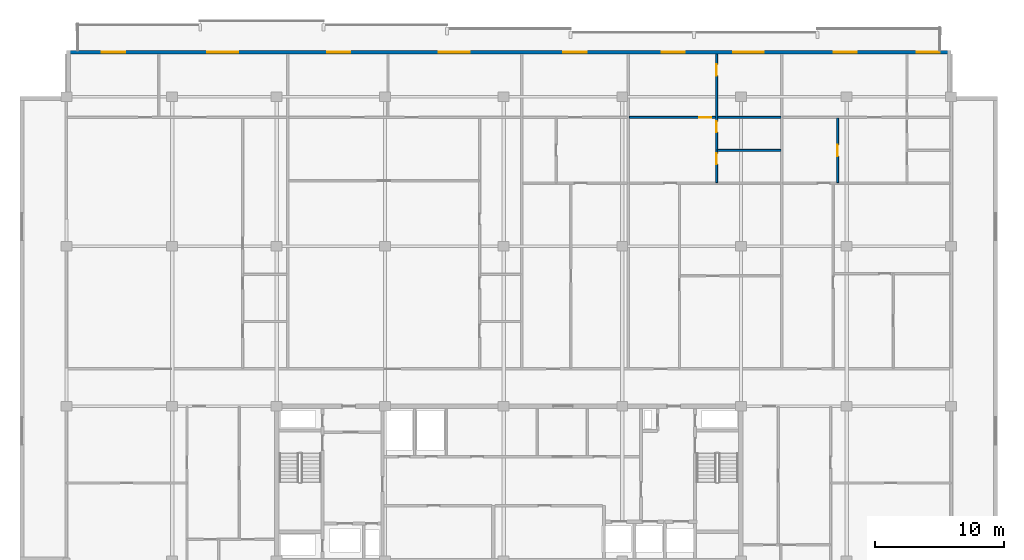
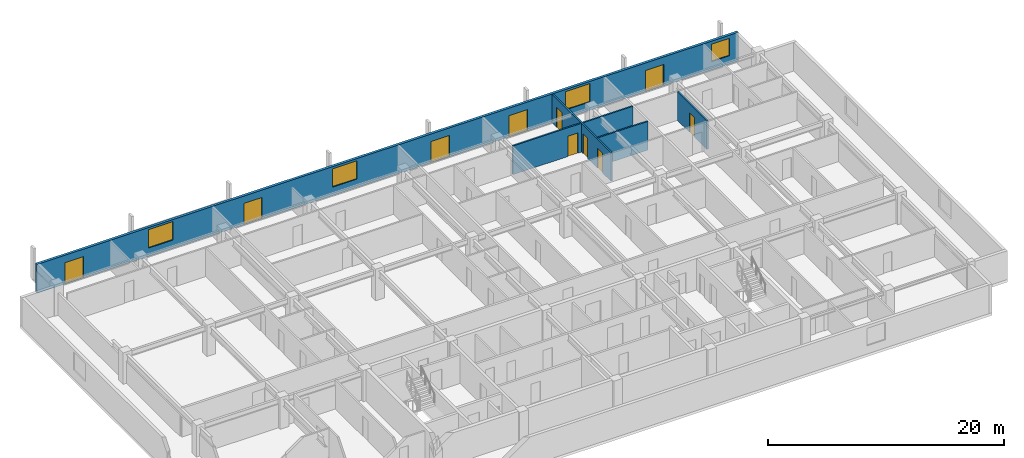
# One storey, part 14 of 21: 10 doors, 5 walls, 4 windows, 14 openings.
"""IFC4 building model written with IfcOpenShell, lengths in metres."""

from ifc_helpers import new_model, si_unit, direction, frame, frame_2d, origin, place, context, subcontext, project, spatial, rectangle, extrude, material, layer, layer_set, type_object, element, fill, save


model = new_model("IFC4")

# Units and contexts
model_context = context("Model", 3, precision=1e-05, world=origin(), true_north=direction((0.0, 1.0)))
body_context = subcontext(model_context, "Body", "Model", "MODEL_VIEW")
ifc_project = project(units=[si_unit("LENGTHUNIT", "METRE"), si_unit("AREAUNIT", "SQUARE_METRE"), si_unit("VOLUMEUNIT", "CUBIC_METRE"), si_unit("PLANEANGLEUNIT", "RADIAN"), si_unit("MASSUNIT", "GRAM", prefix="KILO")], contexts=[model_context])

# Site, building, storey
site_placement = place(None, origin())
site = spatial("IfcSite", under=ifc_project, at=site_placement, CompositionType="ELEMENT")
building_placement = place(site_placement, origin())
building = spatial("IfcBuilding", under=site, at=building_placement, Name="Korimba Cascade Residences", CompositionType="ELEMENT")
storey_placement = place(building_placement, frame((0.0, 0.0, 188.10009765625)))
storey = spatial("IfcBuildingStorey", under=building, at=storey_placement, Name="L54", CompositionType="ELEMENT", Elevation=188.10009765625)

# Wall, openings, doors, windows
ifc_material_1 = material(Name="Precast concrete C40/50", Category="concrete")
ifc_layer_1 = layer(ifc_material_1, 0.25)
ifc_layer_set_1 = layer_set([ifc_layer_1], Name="Precast concrete C40/50")
wall_type_1 = type_object("IfcWallType", Name="EW-LOG-250", PredefinedType="STANDARD", material=ifc_layer_set_1)
wall_1_placement = place(storey_placement, frame((128.39990234375, 94.64990234375, 0.0), z_axis=(0.0, 0.0, 1.0), x_axis=(-1.0, 0.0, 0.0)))
wall_1 = element("IfcWall", 1, at=wall_1_placement, inside=storey, type_object=wall_type_1, Name="L54 T1 Perimeter Stone Wall E06", PredefinedType="STANDARD", context=body_context, shape_type="SweptSolid", body=[
    extrude(rectangle(XDim=68.599853515625, YDim=0.25, at=frame_2d((34.2998046875, 0.0))), origin(), (0.0, 0.0, 1.0), 2.969970703125),
])
opening_1_placement = place(wall_1_placement, frame((64.057861328125, 0.0, 0.0)))
opening_1 = element("IfcOpeningElement", 2, at=opening_1_placement, cuts=wall_1, Name="Opening D-LG1", PredefinedType="OPENING", context=body_context, shape_type="SweptSolid", body=[
    extrude(rectangle(XDim=1.800048828125, YDim=2.199951171875, at=frame_2d((0.89990234375, 1.10009765625))), frame((0.0, 0.135009765625, 0.0), z_axis=(0.0, -1.0, 0.0), x_axis=(1.0, 0.0, 0.0)), (0.0, 0.0, 1.0), 0.27001953125),
])
opening_2_placement = place(wall_1_placement, frame((55.2939453125, 0.0, 0.85009765625)))
opening_2 = element("IfcOpeningElement", 3, at=opening_2_placement, cuts=wall_1, Name="Opening W-01", PredefinedType="OPENING", context=body_context, shape_type="SweptSolid", body=[
    extrude(rectangle(XDim=2.39990234375, YDim=1.89990234375, at=frame_2d((1.199951171875, 0.949951171875))), frame((0.0, 0.135009765625, 0.0), z_axis=(0.0, -1.0, 0.0), x_axis=(1.0, 0.0, 0.0)), (0.0, 0.0, 1.0), 0.27001953125),
])
opening_3_placement = place(wall_1_placement, frame((46.58837890625, 0.0, 0.0)))
opening_3 = element("IfcOpeningElement", 4, at=opening_3_placement, cuts=wall_1, Name="Opening D-LG1", PredefinedType="OPENING", context=body_context, shape_type="SweptSolid", body=[
    extrude(rectangle(XDim=1.800048828125, YDim=2.199951171875, at=frame_2d((0.89990234375, 1.10009765625))), frame((0.0, 0.135009765625, 0.0), z_axis=(0.0, -1.0, 0.0), x_axis=(1.0, 0.0, 0.0)), (0.0, 0.0, 1.0), 0.27001953125),
])
opening_4_placement = place(wall_1_placement, frame((37.3369140625, 0.0, 0.85009765625)))
opening_4 = element("IfcOpeningElement", 5, at=opening_4_placement, cuts=wall_1, Name="Opening W-01", PredefinedType="OPENING", context=body_context, shape_type="SweptSolid", body=[
    extrude(rectangle(XDim=2.39990234375, YDim=1.89990234375, at=frame_2d((1.199951171875, 0.949951171875))), frame((0.0, 0.135009765625, 0.0), z_axis=(0.0, -1.0, 0.0), x_axis=(1.0, 0.0, 0.0)), (0.0, 0.0, 1.0), 0.27001953125),
])
opening_5_placement = place(wall_1_placement, frame((28.259033203125, 0.0, 0.0)))
opening_5 = element("IfcOpeningElement", 6, at=opening_5_placement, cuts=wall_1, Name="Opening D-LG1", PredefinedType="OPENING", context=body_context, shape_type="SweptSolid", body=[
    extrude(rectangle(XDim=1.800048828125, YDim=2.199951171875, at=frame_2d((0.89990234375, 1.10009765625))), frame((0.0, 0.135009765625, 0.0), z_axis=(0.0, -1.0, 0.0), x_axis=(1.0, 0.0, 0.0)), (0.0, 0.0, 1.0), 0.27001953125),
])
opening_6_placement = place(wall_1_placement, frame((20.644775390625, 0.0, 0.0)))
opening_6 = element("IfcOpeningElement", 7, at=opening_6_placement, cuts=wall_1, Name="Opening D-LG1", PredefinedType="OPENING", context=body_context, shape_type="SweptSolid", body=[
    extrude(rectangle(XDim=1.800048828125, YDim=2.199951171875, at=frame_2d((0.89990234375, 1.10009765625))), frame((0.0, 0.135009765625, 0.0), z_axis=(0.0, -1.0, 0.0), x_axis=(1.0, 0.0, 0.0)), (0.0, 0.0, 1.0), 0.27001953125),
])
opening_7_placement = place(wall_1_placement, frame((14.511474609375, 0.0, 0.85009765625)))
opening_7 = element("IfcOpeningElement", 8, at=opening_7_placement, cuts=wall_1, Name="Opening W-01", PredefinedType="OPENING", context=body_context, shape_type="SweptSolid", body=[
    extrude(rectangle(XDim=2.39990234375, YDim=1.89990234375, at=frame_2d((1.199951171875, 0.949951171875))), frame((0.0, 0.135009765625, 0.0), z_axis=(0.0, -1.0, 0.0), x_axis=(1.0, 0.0, 0.0)), (0.0, 0.0, 1.0), 0.27001953125),
])
opening_8_placement = place(wall_1_placement, frame((7.311279296875, 0.0, 0.0)))
opening_8 = element("IfcOpeningElement", 9, at=opening_8_placement, cuts=wall_1, Name="Opening D-LG1", PredefinedType="OPENING", context=body_context, shape_type="SweptSolid", body=[
    extrude(rectangle(XDim=1.800048828125, YDim=2.199951171875, at=frame_2d((0.89990234375, 1.10009765625))), frame((0.0, 0.135009765625, 0.0), z_axis=(0.0, -1.0, 0.0), x_axis=(1.0, 0.0, 0.0)), (0.0, 0.0, 1.0), 0.27001953125),
])
opening_9_placement = place(wall_1_placement, frame((0.8701171875, 0.0, 0.85009765625)))
opening_9 = element("IfcOpeningElement", 10, at=opening_9_placement, cuts=wall_1, Name="Opening W-02", PredefinedType="OPENING", context=body_context, shape_type="SweptSolid", body=[
    extrude(rectangle(XDim=1.800048828125, YDim=1.800048828125, at=frame_2d((0.89990234375, 0.89990234375))), frame((0.0, 0.135009765625, 0.0), z_axis=(0.0, -1.0, 0.0), x_axis=(1.0, 0.0, 0.0)), (0.0, 0.0, 1.0), 0.27001953125),
])
ifc_material_2 = material(Name="Glazed Aluminium Loggia Sliding Door", Category="aluminium")
door_type_1 = type_object("IfcDoorType", Name="DR-EXT-LOG", OperationType="NOTDEFINED", PredefinedType="DOOR", material=ifc_material_2)
door_1_placement = place(opening_1_placement, origin())
door_1 = element("IfcDoor", 11, at=door_1_placement, inside=storey, type_object=door_type_1, Name="L54 T1 Loggia Sliding Door 3", OperationType="SLIDING_TO_LEFT", OverallHeight=2.199951171875, OverallWidth=1.800048828125, PredefinedType="DOOR", context=body_context, shape_type="SweptSolid", body=[
    extrude(rectangle(XDim=1.800048828125, YDim=2.199951171875, at=frame_2d((0.89990234375, 1.10009765625))), frame((0.0, 0.02490234375, 0.0), z_axis=(0.0, -1.0, 0.0), x_axis=(1.0, 0.0, 0.0)), (0.0, 0.0, 1.0), 0.050048828125),
])
fill(opening_1, door_1)
door_2_placement = place(opening_3_placement, origin())
door_2 = element("IfcDoor", 12, at=door_2_placement, inside=storey, type_object=door_type_1, Name="L54 T1 Loggia Sliding Door 5", OperationType="SLIDING_TO_LEFT", OverallHeight=2.199951171875, OverallWidth=1.800048828125, PredefinedType="DOOR", context=body_context, shape_type="SweptSolid", body=[
    extrude(rectangle(XDim=1.800048828125, YDim=2.199951171875, at=frame_2d((0.89990234375, 1.10009765625))), frame((0.0, 0.02490234375, 0.0), z_axis=(0.0, -1.0, 0.0), x_axis=(1.0, 0.0, 0.0)), (0.0, 0.0, 1.0), 0.050048828125),
])
fill(opening_3, door_2)
door_3_placement = place(opening_5_placement, origin())
door_3 = element("IfcDoor", 13, at=door_3_placement, inside=storey, type_object=door_type_1, Name="L54 T1 Loggia Sliding Door 7", OperationType="SLIDING_TO_LEFT", OverallHeight=2.199951171875, OverallWidth=1.800048828125, PredefinedType="DOOR", context=body_context, shape_type="SweptSolid", body=[
    extrude(rectangle(XDim=1.800048828125, YDim=2.199951171875, at=frame_2d((0.89990234375, 1.10009765625))), frame((0.0, 0.02490234375, 0.0), z_axis=(0.0, -1.0, 0.0), x_axis=(1.0, 0.0, 0.0)), (0.0, 0.0, 1.0), 0.050048828125),
])
fill(opening_5, door_3)
door_4_placement = place(opening_6_placement, origin())
door_4 = element("IfcDoor", 14, at=door_4_placement, inside=storey, type_object=door_type_1, Name="L54 T1 Loggia Sliding Door 8", OperationType="SLIDING_TO_LEFT", OverallHeight=2.199951171875, OverallWidth=1.800048828125, PredefinedType="DOOR", context=body_context, shape_type="SweptSolid", body=[
    extrude(rectangle(XDim=1.800048828125, YDim=2.199951171875, at=frame_2d((0.89990234375, 1.10009765625))), frame((0.0, 0.02490234375, 0.0), z_axis=(0.0, -1.0, 0.0), x_axis=(1.0, 0.0, 0.0)), (0.0, 0.0, 1.0), 0.050048828125),
])
fill(opening_6, door_4)
door_5_placement = place(opening_8_placement, origin())
door_5 = element("IfcDoor", 15, at=door_5_placement, inside=storey, type_object=door_type_1, Name="L54 T1 Loggia Sliding Door 10", OperationType="SLIDING_TO_LEFT", OverallHeight=2.199951171875, OverallWidth=1.800048828125, PredefinedType="DOOR", context=body_context, shape_type="SweptSolid", body=[
    extrude(rectangle(XDim=1.800048828125, YDim=2.199951171875, at=frame_2d((0.89990234375, 1.10009765625))), frame((0.0, 0.02490234375, 0.0), z_axis=(0.0, -1.0, 0.0), x_axis=(1.0, 0.0, 0.0)), (0.0, 0.0, 1.0), 0.050048828125),
])
fill(opening_8, door_5)
ifc_material_3 = material(Name="Double-Glazed Aluminium Window", Category="aluminium")
window_type_1 = type_object("IfcWindowType", Name="WIN-BED-1800", PartitioningType="SINGLE_PANEL", PredefinedType="WINDOW", material=ifc_material_3)
window_1_placement = place(opening_9_placement, origin())
window_1 = element("IfcWindow", 16, at=window_1_placement, inside=storey, type_object=window_type_1, Name="L54 T1 North Facade Window 11", OverallHeight=1.800048828125, OverallWidth=1.800048828125, PartitioningType="SINGLE_PANEL", PredefinedType="WINDOW", context=body_context, shape_type="SweptSolid", body=[
    extrude(rectangle(XDim=1.800048828125, YDim=1.800048828125, at=frame_2d((0.89990234375, 0.89990234375))), frame((0.0, 0.030029296875, 0.0), z_axis=(0.0, -1.0, 0.0), x_axis=(1.0, 0.0, 0.0)), (0.0, 0.0, 1.0), 0.06005859375),
])
fill(opening_9, window_1)
window_type_2 = type_object("IfcWindowType", Name="WIN-RES-2400", PartitioningType="DOUBLE_PANEL_VERTICAL", PredefinedType="WINDOW", material=ifc_material_3)
window_2_placement = place(opening_2_placement, origin())
window_2 = element("IfcWindow", 17, at=window_2_placement, inside=storey, type_object=window_type_2, Name="L54 T1 North Facade Window 4", OverallHeight=1.89990234375, OverallWidth=2.39990234375, PartitioningType="DOUBLE_PANEL_VERTICAL", PredefinedType="WINDOW", context=body_context, shape_type="SweptSolid", body=[
    extrude(rectangle(XDim=2.39990234375, YDim=1.89990234375, at=frame_2d((1.199951171875, 0.949951171875))), frame((0.0, 0.030029296875, 0.0), z_axis=(0.0, -1.0, 0.0), x_axis=(1.0, 0.0, 0.0)), (0.0, 0.0, 1.0), 0.06005859375),
])
fill(opening_2, window_2)
window_3_placement = place(opening_4_placement, origin())
window_3 = element("IfcWindow", 18, at=window_3_placement, inside=storey, type_object=window_type_2, Name="L54 T1 North Facade Window 6", OverallHeight=1.89990234375, OverallWidth=2.39990234375, PartitioningType="DOUBLE_PANEL_VERTICAL", PredefinedType="WINDOW", context=body_context, shape_type="SweptSolid", body=[
    extrude(rectangle(XDim=2.39990234375, YDim=1.89990234375, at=frame_2d((1.199951171875, 0.949951171875))), frame((0.0, 0.030029296875, 0.0), z_axis=(0.0, -1.0, 0.0), x_axis=(1.0, 0.0, 0.0)), (0.0, 0.0, 1.0), 0.06005859375),
])
fill(opening_4, window_3)
window_4_placement = place(opening_7_placement, origin())
window_4 = element("IfcWindow", 19, at=window_4_placement, inside=storey, type_object=window_type_2, Name="L54 T1 North Facade Window 9", OverallHeight=1.89990234375, OverallWidth=2.39990234375, PartitioningType="DOUBLE_PANEL_VERTICAL", PredefinedType="WINDOW", context=body_context, shape_type="SweptSolid", body=[
    extrude(rectangle(XDim=2.39990234375, YDim=1.89990234375, at=frame_2d((1.199951171875, 0.949951171875))), frame((0.0, 0.030029296875, 0.0), z_axis=(0.0, -1.0, 0.0), x_axis=(1.0, 0.0, 0.0)), (0.0, 0.0, 1.0), 0.06005859375),
])
fill(opening_7, window_4)

# Wall
ifc_material_4 = material(Name="Insulated Acoustic Stud Partition", Category="gypsum")
ifc_layer_2 = layer(ifc_material_4, 0.14990234375)
ifc_layer_set_2 = layer_set([ifc_layer_2], Name="Insulated Acoustic Stud Partition")
wall_type_2 = type_object("IfcWallType", Name="WAL-PART-150", PredefinedType="PARTITIONING", material=ifc_layer_set_2)
wall_2_placement = place(storey_placement, frame((110.280029296875, 87.0400390625, 0.0), z_axis=(0.0, 0.0, 1.0), x_axis=(1.0, 0.0, 0.0)))
element("IfcWall", 20, at=wall_2_placement, inside=storey, type_object=wall_type_2, Name="L54 Partition Wall WAL-L54-T1-U04-BLDIV", PredefinedType="PARTITIONING", context=body_context, shape_type="SweptSolid", body=[
    extrude(rectangle(XDim=4.917236328125, YDim=0.14990234375, at=frame_2d((2.45849609375, 0.0))), origin(), (0.0, 0.0, 1.0), 2.969970703125),
])

# Wall, openings, doors
wall_3_placement = place(storey_placement, frame((110.219970703125, 84.5400390625, 0.0), z_axis=(0.0, 0.0, 1.0), x_axis=(0.0, 1.0, 0.0)))
wall_3 = element("IfcWall", 21, at=wall_3_placement, inside=storey, type_object=wall_type_2, Name="L54 Partition Wall WAL-L54-T1-U04-V1", PredefinedType="PARTITIONING", context=body_context, shape_type="SweptSolid", body=[
    extrude(rectangle(XDim=9.9599609375, YDim=0.14990234375, at=frame_2d((4.97998046875, 0.0))), origin(), (0.0, 0.0, 1.0), 2.969970703125),
])
opening_10_placement = place(wall_3_placement, frame((1.430419921875, 0.0, 0.0)))
opening_10 = element("IfcOpeningElement", 22, at=opening_10_placement, cuts=wall_3, Name="Opening D-BT1", PredefinedType="OPENING", context=body_context, shape_type="SweptSolid", body=[
    extrude(rectangle(XDim=0.840087890625, YDim=2.0400390625, at=frame_2d((0.419921875, 1.02001953125))), frame((0.0, 0.0849609375, 0.0), z_axis=(0.0, -1.0, 0.0), x_axis=(1.0, 0.0, 0.0)), (0.0, 0.0, 1.0), 0.169921875),
])
opening_11_placement = place(wall_3_placement, frame((3.919921875, 0.0, 0.0)))
opening_11 = element("IfcOpeningElement", 23, at=opening_11_placement, cuts=wall_3, Name="Opening D-BT1", PredefinedType="OPENING", context=body_context, shape_type="SweptSolid", body=[
    extrude(rectangle(XDim=0.840087890625, YDim=2.0400390625, at=frame_2d((0.419921875, 1.02001953125))), frame((0.0, 0.0849609375, 0.0), z_axis=(0.0, -1.0, 0.0), x_axis=(1.0, 0.0, 0.0)), (0.0, 0.0, 1.0), 0.169921875),
])
opening_12_placement = place(wall_3_placement, frame((8.297119140625, 0.0, 0.0)))
opening_12 = element("IfcOpeningElement", 24, at=opening_12_placement, cuts=wall_3, Name="Opening D-IN2", PredefinedType="OPENING", context=body_context, shape_type="SweptSolid", body=[
    extrude(rectangle(XDim=0.8798828125, YDim=2.06005859375, at=frame_2d((0.43994140625, 1.030029296875))), frame((0.0, 0.0849609375, 0.0), z_axis=(0.0, -1.0, 0.0), x_axis=(1.0, 0.0, 0.0)), (0.0, 0.0, 1.0), 0.169921875),
])
ifc_material_5 = material(Name="Moisture-Resistant Bathroom Timber Door", Category="wood")
door_type_2 = type_object("IfcDoorType", Name="DR-INT-850", OperationType="NOTDEFINED", PredefinedType="DOOR", material=ifc_material_5)
door_6_placement = place(opening_10_placement, origin())
door_6 = element("IfcDoor", 25, at=door_6_placement, inside=storey, type_object=door_type_2, Name="L54-T1-U04 Bathroom Door", OperationType="SINGLE_SWING_LEFT", OverallHeight=2.0400390625, OverallWidth=0.840087890625, PredefinedType="DOOR", context=body_context, shape_type="SweptSolid", body=[
    extrude(rectangle(XDim=0.840087890625, YDim=2.0400390625, at=frame_2d((0.419921875, 1.02001953125))), frame((0.0, 0.02490234375, 0.0), z_axis=(0.0, -1.0, 0.0), x_axis=(1.0, 0.0, 0.0)), (0.0, 0.0, 1.0), 0.050048828125),
])
fill(opening_10, door_6)
door_7_placement = place(opening_11_placement, origin())
door_7 = element("IfcDoor", 26, at=door_7_placement, inside=storey, type_object=door_type_2, Name="L54-T1-U04 Laundry Door", OperationType="SINGLE_SWING_RIGHT", OverallHeight=2.0400390625, OverallWidth=0.840087890625, PredefinedType="DOOR", context=body_context, shape_type="SweptSolid", body=[
    extrude(rectangle(XDim=0.840087890625, YDim=2.0400390625, at=frame_2d((0.419921875, 1.02001953125))), frame((0.0, 0.02490234375, 0.0), z_axis=(0.0, -1.0, 0.0), x_axis=(1.0, 0.0, 0.0)), (0.0, 0.0, 1.0), 0.050048828125),
])
fill(opening_11, door_7)
ifc_material_6 = material(Name="Acoustic Timber Bedroom Door", Category="wood")
door_type_3 = type_object("IfcDoorType", Name="DR-INT-880", OperationType="NOTDEFINED", PredefinedType="DOOR", material=ifc_material_6)
door_8_placement = place(opening_12_placement, origin())
door_8 = element("IfcDoor", 27, at=door_8_placement, inside=storey, type_object=door_type_3, Name="L54-T1-U04 Bedroom 1 Door", OperationType="SINGLE_SWING_LEFT", OverallHeight=2.06005859375, OverallWidth=0.8798828125, PredefinedType="DOOR", context=body_context, shape_type="SweptSolid", body=[
    extrude(rectangle(XDim=0.8798828125, YDim=2.06005859375, at=frame_2d((0.43994140625, 1.030029296875))), frame((0.0, 0.02490234375, 0.0), z_axis=(0.0, -1.0, 0.0), x_axis=(1.0, 0.0, 0.0)), (0.0, 0.0, 1.0), 0.050048828125),
])
fill(opening_12, door_8)

# Wall, opening, door
wall_4_placement = place(storey_placement, frame((103.450439453125, 89.60009765625, 0.0), z_axis=(0.0, 0.0, 1.0), x_axis=(1.0, 0.0, 0.0)))
wall_4 = element("IfcWall", 28, at=wall_4_placement, inside=storey, type_object=wall_type_2, Name="L54 Partition Wall WAL-L54-T1-U04-HZ", PredefinedType="PARTITIONING", context=body_context, shape_type="SweptSolid", body=[
    extrude(rectangle(XDim=11.746826171875, YDim=0.14990234375, at=frame_2d((5.87353515625, 0.0))), origin(), (0.0, 0.0, 1.0), 2.969970703125),
])
opening_13_placement = place(wall_4_placement, frame((5.4033203125, 0.0, 0.0)))
opening_13 = element("IfcOpeningElement", 29, at=opening_13_placement, cuts=wall_4, Name="Opening D-IN0", PredefinedType="OPENING", context=body_context, shape_type="SweptSolid", body=[
    extrude(rectangle(XDim=0.93994140625, YDim=2.10009765625, at=frame_2d((0.469970703125, 1.050048828125))), frame((0.0, 0.0849609375, 0.0), z_axis=(0.0, -1.0, 0.0), x_axis=(1.0, 0.0, 0.0)), (0.0, 0.0, 1.0), 0.169921875),
])
ifc_material_7 = material(Name="Acoustic Timber Living Archway Door", Category="wood")
door_type_4 = type_object("IfcDoorType", Name="DR-INT-950", OperationType="NOTDEFINED", PredefinedType="DOOR", material=ifc_material_7)
door_9_placement = place(opening_13_placement, origin())
door_9 = element("IfcDoor", 30, at=door_9_placement, inside=storey, type_object=door_type_4, Name="L54-T1-U04 Living Archway Door", OperationType="SINGLE_SWING_LEFT", OverallHeight=2.10009765625, OverallWidth=0.93994140625, PredefinedType="DOOR", context=body_context, shape_type="SweptSolid", body=[
    extrude(rectangle(XDim=0.93994140625, YDim=2.10009765625, at=frame_2d((0.469970703125, 1.050048828125))), frame((0.0, 0.02490234375, 0.0), z_axis=(0.0, -1.0, 0.0), x_axis=(1.0, 0.0, 0.0)), (0.0, 0.0, 1.0), 0.050048828125),
])
fill(opening_13, door_9)

wall_5_placement = place(storey_placement, frame((119.597412109375, 84.5400390625, 0.0), z_axis=(0.0, 0.0, 1.0), x_axis=(0.0, 1.0, 0.0)))
wall_5 = element("IfcWall", 31, at=wall_5_placement, inside=storey, type_object=wall_type_2, Name="L54 Partition Wall WAL-L54-T1-U05-VDIN", PredefinedType="PARTITIONING", context=body_context, shape_type="SweptSolid", body=[
    extrude(rectangle(XDim=5.0, YDim=0.14990234375, at=frame_2d((2.5, 0.0))), origin(), (0.0, 0.0, 1.0), 2.969970703125),
])
opening_14_placement = place(wall_5_placement, frame((2.06005859375, 0.0, 0.0)))
opening_14 = element("IfcOpeningElement", 32, at=opening_14_placement, cuts=wall_5, Name="Opening D-IN2", PredefinedType="OPENING", context=body_context, shape_type="SweptSolid", body=[
    extrude(rectangle(XDim=0.8798828125, YDim=2.06005859375, at=frame_2d((0.43994140625, 1.030029296875))), frame((0.0, 0.0849609375, 0.0), z_axis=(0.0, -1.0, 0.0), x_axis=(1.0, 0.0, 0.0)), (0.0, 0.0, 1.0), 0.169921875),
])
door_10_placement = place(opening_14_placement, origin())
door_10 = element("IfcDoor", 33, at=door_10_placement, inside=storey, type_object=door_type_3, Name="L54-T1-U05 Dining Room Door", OperationType="SINGLE_SWING_LEFT", OverallHeight=2.06005859375, OverallWidth=0.8798828125, PredefinedType="DOOR", context=body_context, shape_type="SweptSolid", body=[
    extrude(rectangle(XDim=0.8798828125, YDim=2.06005859375, at=frame_2d((0.43994140625, 1.030029296875))), frame((0.0, 0.02490234375, 0.0), z_axis=(0.0, -1.0, 0.0), x_axis=(1.0, 0.0, 0.0)), (0.0, 0.0, 1.0), 0.050048828125),
])
fill(opening_14, door_10)

save(model, "model.ifc")
